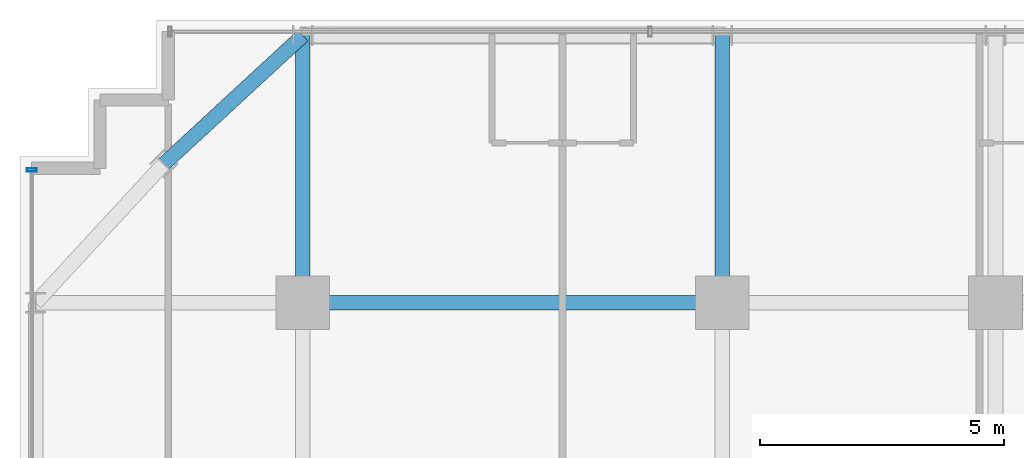
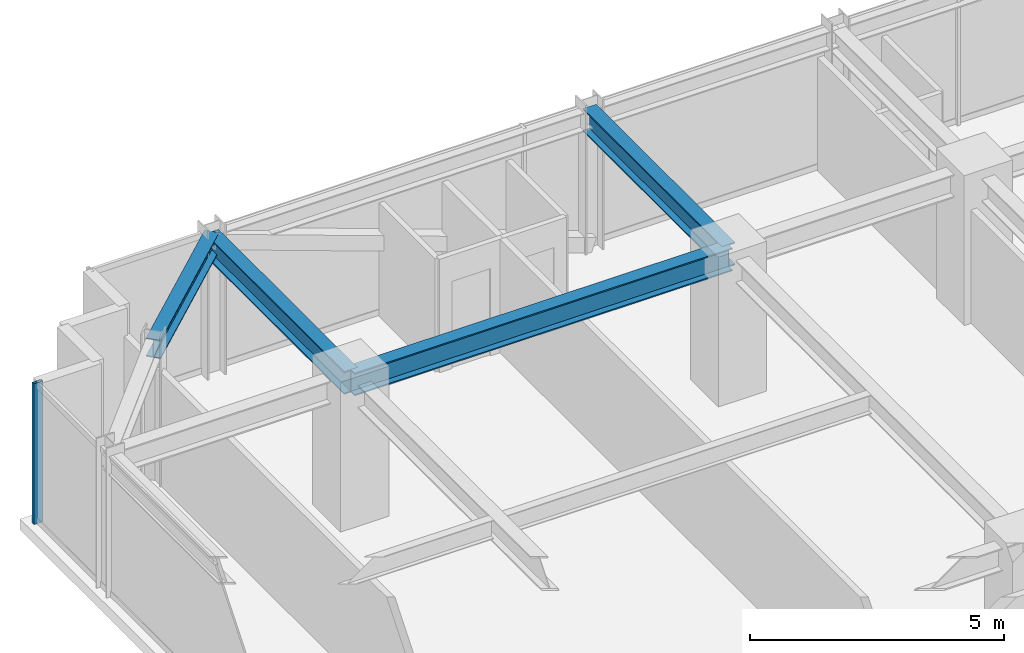
# One storey, part 21 of 38: 4 beams, 1 member, 1 element without a shape of its own.
"""IFC4 building model written with IfcOpenShell, lengths in metres."""

from ifc_helpers import new_model, si_unit, direction, frame, origin, origin_2d, place, context, subcontext, project, spatial, hollow_rectangle, i_section, extrude, source, transform, mapped, material, material_profile, profile_set, type_object, element, aggregate, save


model = new_model("IFC4")

# Units and contexts
model_context = context("Model", 3, precision=1e-05, world=origin(), true_north=direction((0.0, 1.0)))
body_context = subcontext(model_context, "Body", "Model", "MODEL_VIEW")
ifc_project = project(units=[si_unit("LENGTHUNIT", "METRE"), si_unit("AREAUNIT", "SQUARE_METRE"), si_unit("VOLUMEUNIT", "CUBIC_METRE"), si_unit("PLANEANGLEUNIT", "RADIAN"), si_unit("MASSUNIT", "GRAM", prefix="KILO")], contexts=[model_context])

# Site, building, storey
site_placement = place(None, origin())
site = spatial("IfcSite", under=ifc_project, at=site_placement, CompositionType="ELEMENT")
building_placement = place(site_placement, origin())
building = spatial("IfcBuilding", under=site, at=building_placement, Name="Nahalor Promenade Grand Hotel", CompositionType="ELEMENT")
storey_placement = place(building_placement, frame((0.0, 0.0, 178.199951171875)))
storey = spatial("IfcBuildingStorey", under=building, at=storey_placement, Name="L45", CompositionType="ELEMENT", Elevation=178.199951171875)

# Beams
ifc_material_1 = material(Name="Steel S355JR", Category="steel")
ifc_material_profile_1 = material_profile(ifc_material_1, i_section(OverallWidth=0.3, OverallDepth=0.55, WebThickness=0.015, FlangeThickness=0.029, at=origin_2d()), Name="HEB 550")
ifc_profile_set_1 = profile_set([ifc_material_profile_1], Name="Steel S355JR")
beam_type_1 = type_object("IfcBeamType", Name="Beam-Girder-HEB550", PredefinedType="BEAM", material=ifc_profile_set_1)
shared_shape_1 = source(origin(), body_context, "Body", "SweptSolid", [
    extrude(i_section(OverallWidth=0.3, OverallDepth=0.55, WebThickness=0.015, FlangeThickness=0.029, at=origin_2d()), origin(), (0.0, 0.0, 1.0), 8.60009765625),
])
beam_1_placement = place(storey_placement, frame((-17.0, 17.0, 3.114990234375), z_axis=(1.0, 0.0, 0.0), x_axis=(0.0, 1.0, 0.0)))
element("IfcBeam", 1, at=beam_1_placement, inside=storey, type_object=beam_type_1, Name="BM-L45-GX-3-1", PredefinedType="BEAM", context=body_context, shape_type="MappedRepresentation", body=[
    mapped(shared_shape_1, transform((0.0, 0.0, 0.0), scale=1.0)),
])
shared_shape_2 = source(origin(), body_context, "Body", "SweptSolid", [
    extrude(i_section(OverallWidth=0.3, OverallDepth=0.55, WebThickness=0.015, FlangeThickness=0.029, at=origin_2d()), origin(), (0.0, 0.0, 1.0), 5.47998046875),
])
for number, where, z_axis, x_axis, name in (
    (2, (-17.0, 17.0, 3.114990234375), (0.0, 1.0, 0.0), (-1.0, 0.0, 0.0), "BM-L45-GY-0-4"),
    (3, (-8.39990234375, 17.0, 3.114990234375), (0.0, 1.0, 0.0), (-1.0, 0.0, 0.0), "BM-L45-GY-1-4"),
):
    element("IfcBeam", number, at=place(storey_placement, frame(where, z_axis=z_axis, x_axis=x_axis)), inside=storey, type_object=beam_type_1, Name=name, PredefinedType="BEAM", context=body_context, shape_type="MappedRepresentation", body=[
        mapped(shared_shape_2, transform((0.0, 0.0, 0.0), scale=1.0)),
    ])
ifc_material_profile_2 = material_profile(ifc_material_1, i_section(OverallWidth=0.3, OverallDepth=0.45, WebThickness=0.014, FlangeThickness=0.026, at=origin_2d()), Name="HEB 450")
ifc_profile_set_2 = profile_set([ifc_material_profile_2], Name="Steel S355JR")
beam_type_2 = type_object("IfcBeamType", Name="Beam-Spandrel-HEB450", PredefinedType="SPANDREL", material=ifc_profile_set_2)
shared_shape_3 = source(origin(), body_context, "Body", "SweptSolid", [
    extrude(i_section(OverallWidth=0.3, OverallDepth=0.45, WebThickness=0.014, FlangeThickness=0.026, at=origin_2d()), origin(), (0.0, 0.0, 1.0), 3.878173828125),
])
beam_2_placement = place(storey_placement, frame((-17.0, 22.47998046875, 3.1650390625), z_axis=(-0.73492893846, -0.678144125843, 0.0), x_axis=(0.678144125843, -0.73492893846, 0.0)))
element("IfcBeam", 4, at=beam_2_placement, inside=storey, type_object=beam_type_2, Name="BM-L45-SPC-NW-1", PredefinedType="SPANDREL", context=body_context, shape_type="MappedRepresentation", body=[
    mapped(shared_shape_3, transform((0.0, 0.0, 0.0), scale=1.0)),
])

# Curtain wall, member
ifc_material_2 = material(Name="Anodised Bronze Aluminium EN AW-6063 T6", Category="aluminium")
curtain_wall_type = type_object("IfcCurtainWallType", Name="CW3 Elliptical-Void Collar Unitised Curtain Wall", PredefinedType="USERDEFINED", material=ifc_material_2)
curtain_wall_placement = place(storey_placement, origin())
curtain_wall = element("IfcCurtainWall", 5, at=curtain_wall_placement, inside=storey, type_object=curtain_wall_type, Name="L45 Curtain Wall CW-L45-W-2", ObjectType="UNITISED_CURTAIN_WALL", PredefinedType="USERDEFINED")
ifc_material_profile_3 = material_profile(ifc_material_2, hollow_rectangle(XDim=0.07, YDim=0.2, WallThickness=0.005, at=origin_2d()), Name="CWM 70x200x5")
ifc_profile_set_3 = profile_set([ifc_material_profile_3], Name="Anodised Bronze Aluminium EN AW-6063 T6")
member_type = type_object("IfcMemberType", Name="CWM3 Void Collar Mullion 70x200", PredefinedType="MULLION", material=ifc_profile_set_3)
shared_shape_4 = source(origin(), body_context, "Body", "SweptSolid", [
    extrude(hollow_rectangle(XDim=0.07, YDim=0.2, WallThickness=0.005, at=origin_2d()), origin(), (0.0, 0.0, 1.0), 3.39013671875),
])
member_placement = place(storey_placement, frame((-22.56005859375, 19.72509765625, 0.0), z_axis=(0.0, 0.0, 1.0), x_axis=(0.0, 1.0, 0.0)))
member = element("IfcMember", 6, at=member_placement, type_object=member_type, Name="CW-L45-W-2 Mullion 2", PredefinedType="MULLION", context=body_context, shape_type="MappedRepresentation", body=[
    mapped(shared_shape_4, transform((0.0, 0.0, 0.0), scale=1.0)),
])
aggregate(curtain_wall, [member])

save(model, "model.ifc")
